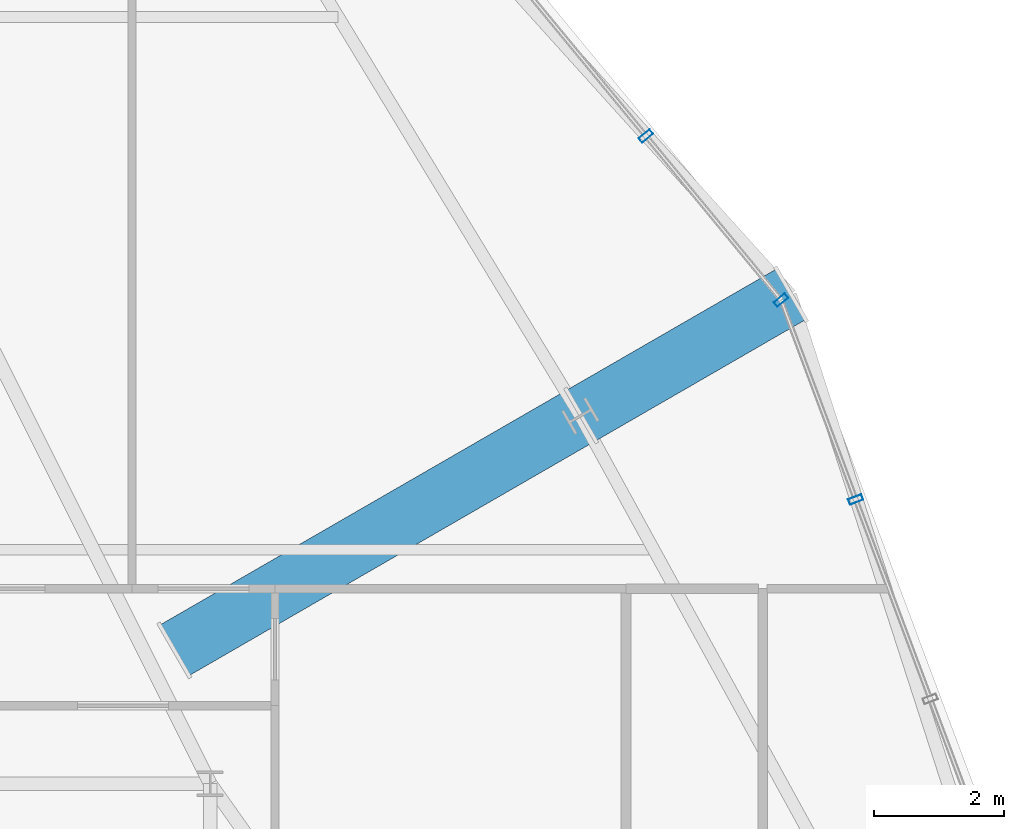
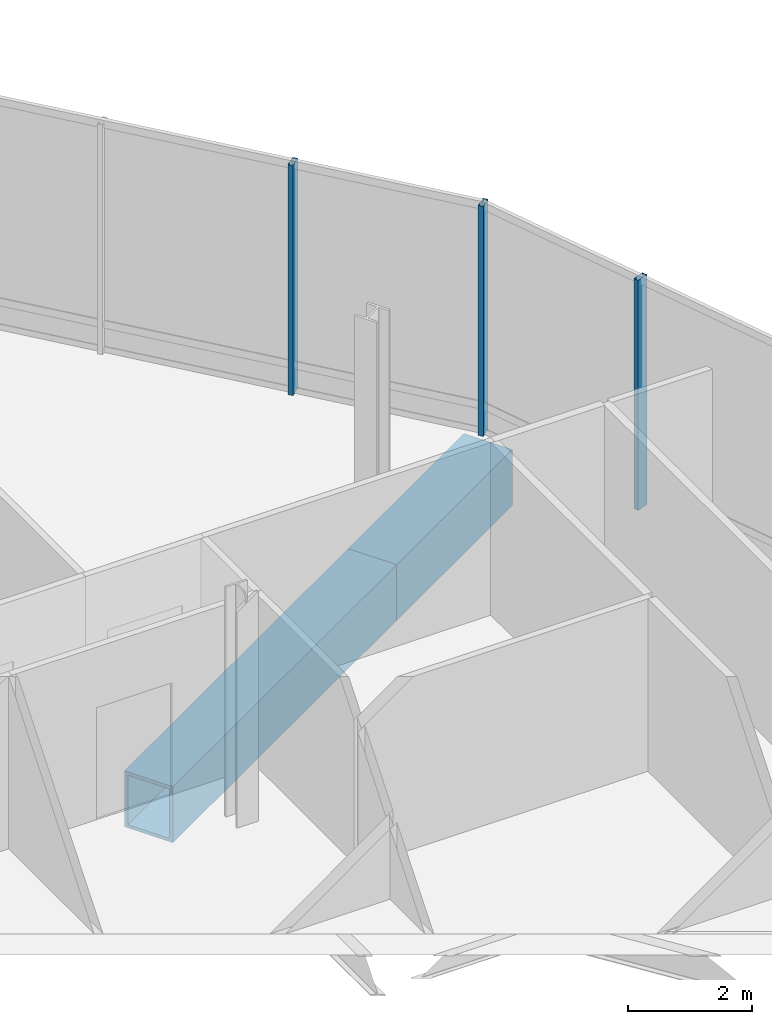
# One storey, part 14 of 29: 3 members, 2 beams, 2 elements without a shape of their own.
"""IFC4 building model written with IfcOpenShell, lengths in metres."""

from ifc_helpers import new_model, si_unit, direction, frame, origin, origin_2d, place, context, subcontext, project, spatial, hollow_rectangle, extrude, material, layer, layer_set, material_profile, profile_set, type_object, element, aggregate, save


model = new_model("IFC4")

# Units and contexts
model_context = context("Model", 3, precision=1e-05, world=origin(), true_north=direction((0.0, 1.0)))
body_context = subcontext(model_context, "Body", "Model", "MODEL_VIEW")
ifc_project = project(units=[si_unit("LENGTHUNIT", "METRE"), si_unit("AREAUNIT", "SQUARE_METRE"), si_unit("VOLUMEUNIT", "CUBIC_METRE"), si_unit("PLANEANGLEUNIT", "RADIAN"), si_unit("MASSUNIT", "GRAM", prefix="KILO")], contexts=[model_context])

# Site, building, storey
site_placement = place(None, origin())
site = spatial("IfcSite", under=ifc_project, at=site_placement, CompositionType="ELEMENT")
building_placement = place(site_placement, origin())
building = spatial("IfcBuilding", under=site, at=building_placement, Name="Ndaravel Arena Tower", CompositionType="ELEMENT")
storey_placement = place(building_placement, frame((0.0, 0.0, 208.39990234375)))
storey = spatial("IfcBuildingStorey", under=building, at=storey_placement, Name="L50", CompositionType="ELEMENT", Elevation=208.39990234375)

# Beams
ifc_material_1 = material(Name="Steel S460", Category="steel")
ifc_material_profile_1 = material_profile(ifc_material_1, hollow_rectangle(XDim=0.89990234375, YDim=1.10009765625, WallThickness=0.06494140625, at=origin_2d()), Name="BOX 1100x900x65")
ifc_profile_set_1 = profile_set([ifc_material_profile_1], Name="Steel S460")
beam_type = type_object("IfcBeamType", Name="BM-STAR-BOX1100", PredefinedType="BEAM", material=ifc_profile_set_1)
beam_1_placement = place(storey_placement, frame((49.262451171875, 25.258544921875, -0.829833984375), z_axis=(0.866018442252, 0.500012057535, 0.0), x_axis=(-0.500012057535, 0.866018442252, 0.0)))
element("IfcBeam", 1, at=beam_1_placement, inside=storey, type_object=beam_type, Name="L50 Star Cantilever Backspan Girder SBG-4", PredefinedType="BEAM", context=body_context, shape_type="SweptSolid", body=[
    extrude(hollow_rectangle(XDim=0.89990234375, YDim=1.10009765625, WallThickness=0.06494140625, at=origin_2d()), origin(), (0.0, 0.0, 1.0), 7.199951171875),
])
beam_2_placement = place(storey_placement, frame((55.497802734375, 28.858642578125, -0.829833984375), z_axis=(0.86600681122, 0.500032201883, 0.0), x_axis=(-0.500032201883, 0.86600681122, 0.0)))
element("IfcBeam", 2, at=beam_2_placement, inside=storey, type_object=beam_type, Name="L50 Star Cantilever Tip Girder SCG-4", PredefinedType="BEAM", context=body_context, shape_type="SweptSolid", body=[
    extrude(hollow_rectangle(XDim=0.89990234375, YDim=1.10009765625, WallThickness=0.06494140625, at=origin_2d()), origin(), (0.0, 0.0, 1.0), 3.729736328125),
])

# Curtain wall, member
ifc_material_2 = material(Name="Aluminium", Category="aluminium")
ifc_layer = layer(ifc_material_2, 0.179931640625)
ifc_layer_set = layer_set([ifc_layer], Name="Aluminium")
curtain_wall_type = type_object("IfcCurtainWallType", Name="CW-SYS-04", PredefinedType="NOTDEFINED", material=ifc_layer_set)
curtain_wall_1_placement = place(storey_placement, origin())
curtain_wall_1 = element("IfcCurtainWall", 3, at=curtain_wall_1_placement, inside=storey, type_object=curtain_wall_type, Name="L50 Faceted Crystal Curtain Wall CW-L50-E06", PredefinedType="NOTDEFINED")
ifc_material_3 = material(Name="Aluminium", Category="aluminium")
ifc_material_profile_2 = material_profile(ifc_material_3, hollow_rectangle(XDim=0.090087890625, YDim=0.219970703125, WallThickness=0.0048828125, at=origin_2d()), Name="CW MULLION 90x220x5")
ifc_profile_set_2 = profile_set([ifc_material_profile_2], Name="Aluminium")
member_type = type_object("IfcMemberType", Name="MEM-CW-MUL220", PredefinedType="MULLION", material=ifc_profile_set_2)
member_1_placement = place(storey_placement, frame((59.7353515625, 27.5732421875, 0.0), z_axis=(0.0, 0.0, 1.0), x_axis=(-0.350272772461, 0.936647737878, 0.0)))
member_1 = element("IfcMember", 4, at=member_1_placement, type_object=member_type, Name="CW-L50-E06 Mullion 05", PredefinedType="MULLION", context=body_context, shape_type="SweptSolid", body=[
    extrude(hollow_rectangle(XDim=0.090087890625, YDim=0.219970703125, WallThickness=0.0048828125, at=origin_2d()), origin(), (0.0, 0.0, 1.0), 4.52001953125),
])
aggregate(curtain_wall_1, [member_1])

# Curtain wall, members
curtain_wall_2_placement = place(storey_placement, origin())
curtain_wall_2 = element("IfcCurtainWall", 5, at=curtain_wall_2_placement, inside=storey, type_object=curtain_wall_type, Name="L50 Faceted Crystal Curtain Wall CW-L50-E07", PredefinedType="NOTDEFINED")
member_2_placement = place(storey_placement, frame((58.58740234375, 30.642578125, 0.0), z_axis=(0.0, 0.0, 1.0), x_axis=(-0.636024349169, 0.771668988144, 0.0)))
member_2 = element("IfcMember", 6, at=member_2_placement, type_object=member_type, Name="CW-L50-E07 Mullion 00", PredefinedType="MULLION", context=body_context, shape_type="SweptSolid", body=[
    extrude(hollow_rectangle(XDim=0.090087890625, YDim=0.219970703125, WallThickness=0.0048828125, at=origin_2d()), origin(), (0.0, 0.0, 1.0), 4.52001953125),
])
member_3_placement = place(storey_placement, frame((56.506591796875, 33.167236328125, 0.0), z_axis=(0.0, 0.0, 1.0), x_axis=(-0.636024349169, 0.771668988144, 0.0)))
member_3 = element("IfcMember", 7, at=member_3_placement, type_object=member_type, Name="CW-L50-E07 Mullion 01", PredefinedType="MULLION", context=body_context, shape_type="SweptSolid", body=[
    extrude(hollow_rectangle(XDim=0.090087890625, YDim=0.219970703125, WallThickness=0.0048828125, at=origin_2d()), origin(), (0.0, 0.0, 1.0), 4.52001953125),
])
aggregate(curtain_wall_2, [member_2, member_3])

save(model, "model.ifc")
